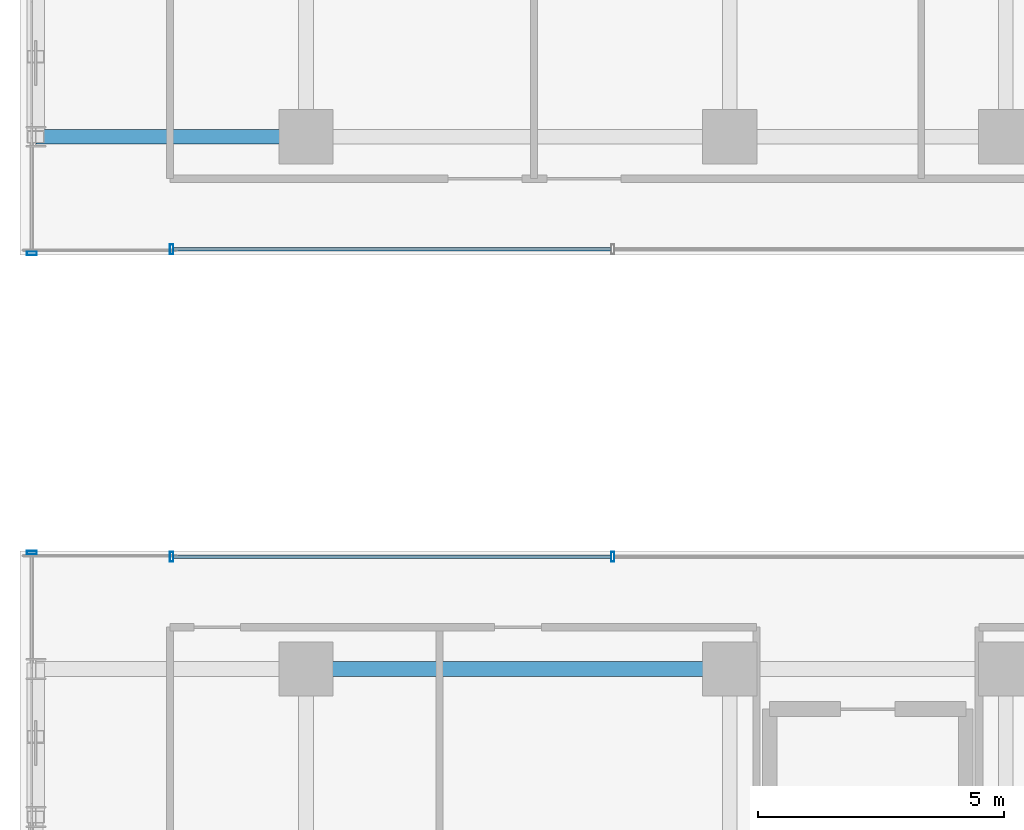
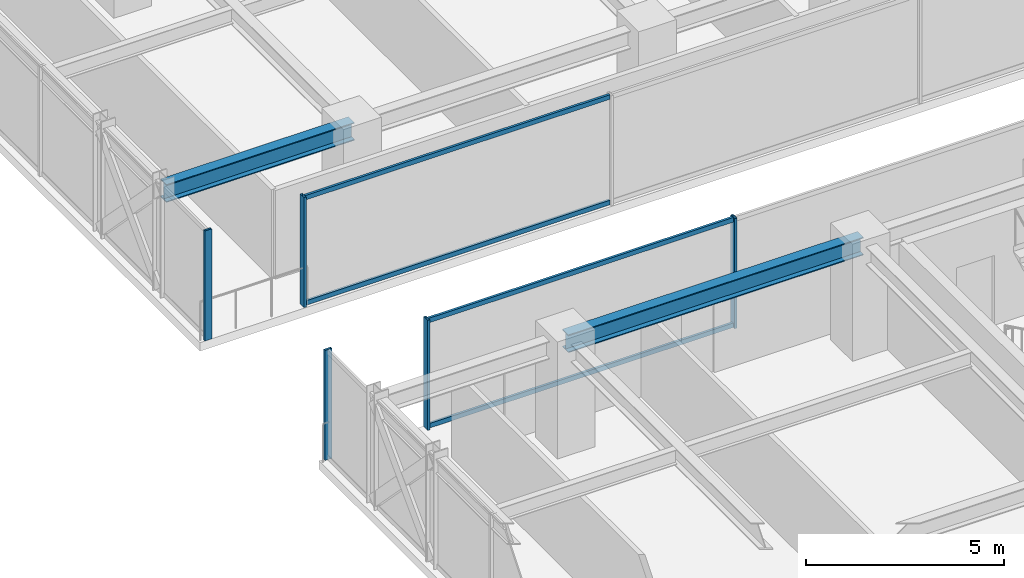
# One storey, part 8 of 41: 9 members, 2 beams, 4 elements without a shape of their own.
"""IFC4 building model written with IfcOpenShell, lengths in metres."""

from ifc_helpers import new_model, si_unit, direction, frame, origin, origin_2d, place, context, subcontext, project, spatial, hollow_rectangle, i_section, extrude, source, transform, mapped, material, material_profile, profile_set, type_object, element, aggregate, save


model = new_model("IFC4")

# Units and contexts
model_context = context("Model", 3, precision=1e-05, world=origin(), true_north=direction((0.0, 1.0)))
body_context = subcontext(model_context, "Body", "Model", "MODEL_VIEW")
ifc_project = project(units=[si_unit("LENGTHUNIT", "METRE"), si_unit("AREAUNIT", "SQUARE_METRE"), si_unit("VOLUMEUNIT", "CUBIC_METRE"), si_unit("PLANEANGLEUNIT", "RADIAN"), si_unit("MASSUNIT", "GRAM", prefix="KILO")], contexts=[model_context])

# Site, building, storey
site_placement = place(None, origin())
site = spatial("IfcSite", under=ifc_project, at=site_placement, CompositionType="ELEMENT")
building_placement = place(site_placement, origin())
building = spatial("IfcBuilding", under=site, at=building_placement, Name="Nahalor Promenade Grand Hotel", CompositionType="ELEMENT")
storey_placement = place(building_placement, frame((0.0, 0.0, 159.949951171875)))
storey = spatial("IfcBuildingStorey", under=building, at=storey_placement, Name="L40", CompositionType="ELEMENT", Elevation=159.949951171875)

# Beams
ifc_material_1 = material(Name="Steel S355JR", Category="steel")
ifc_material_profile_1 = material_profile(ifc_material_1, i_section(OverallWidth=0.3, OverallDepth=0.55, WebThickness=0.015, FlangeThickness=0.029, at=origin_2d()), Name="HEB 550")
ifc_profile_set_1 = profile_set([ifc_material_profile_1], Name="Steel S355JR")
beam_type = type_object("IfcBeamType", Name="Beam-Girder-HEB550", PredefinedType="BEAM", material=ifc_profile_set_1)
shared_shape_1 = source(origin(), body_context, "Body", "SweptSolid", [
    extrude(i_section(OverallWidth=0.3, OverallDepth=0.55, WebThickness=0.015, FlangeThickness=0.029, at=origin_2d()), origin(), (0.0, 0.0, 1.0), 8.60009765625),
])
beam_1_placement = place(storey_placement, frame((-17.0, -5.39990234375, 3.114990234375), z_axis=(1.0, 0.0, 0.0), x_axis=(0.0, 1.0, 0.0)))
element("IfcBeam", 1, at=beam_1_placement, inside=storey, type_object=beam_type, Name="BM-L40-GX-1-1", PredefinedType="BEAM", context=body_context, shape_type="MappedRepresentation", body=[
    mapped(shared_shape_1, transform((0.0, 0.0, 0.0), scale=1.0)),
])
shared_shape_2 = source(origin(), body_context, "Body", "SweptSolid", [
    extrude(i_section(OverallWidth=0.3, OverallDepth=0.55, WebThickness=0.015, FlangeThickness=0.029, at=origin_2d()), origin(), (0.0, 0.0, 1.0), 5.47998046875),
])
beam_2_placement = place(storey_placement, frame((-22.47998046875, 5.39990234375, 3.114990234375), z_axis=(1.0, 0.0, 0.0), x_axis=(0.0, 1.0, 0.0)))
element("IfcBeam", 2, at=beam_2_placement, inside=storey, type_object=beam_type, Name="BM-L40-GX-2-0", PredefinedType="BEAM", context=body_context, shape_type="MappedRepresentation", body=[
    mapped(shared_shape_2, transform((0.0, 0.0, 0.0), scale=1.0)),
])

# Curtain wall, member
ifc_material_2 = material(Name="Anodised Bronze Aluminium EN AW-6063 T6", Category="aluminium")
curtain_wall_type = type_object("IfcCurtainWallType", Name="CW3 Elliptical-Void Collar Unitised Curtain Wall", PredefinedType="USERDEFINED", material=ifc_material_2)
curtain_wall_1_placement = place(storey_placement, origin())
curtain_wall_1 = element("IfcCurtainWall", 3, at=curtain_wall_1_placement, inside=storey, type_object=curtain_wall_type, Name="L40 Curtain Wall CW-L40-W-1", ObjectType="UNITISED_CURTAIN_WALL", PredefinedType="USERDEFINED")
ifc_material_profile_2 = material_profile(ifc_material_2, hollow_rectangle(XDim=0.07, YDim=0.2, WallThickness=0.005, at=origin_2d()), Name="CWM 70x200x5")
ifc_profile_set_2 = profile_set([ifc_material_profile_2], Name="Anodised Bronze Aluminium EN AW-6063 T6")
member_type_1 = type_object("IfcMemberType", Name="CWM3 Void Collar Mullion 70x200", PredefinedType="MULLION", material=ifc_profile_set_2)
shared_shape_3 = source(origin(), body_context, "Body", "SweptSolid", [
    extrude(hollow_rectangle(XDim=0.07, YDim=0.2, WallThickness=0.005, at=origin_2d()), origin(), (0.0, 0.0, 1.0), 3.39013671875),
])
member_1_placement = place(storey_placement, frame((-22.56005859375, -3.033935546875, 0.0), z_axis=(0.0, 0.0, 1.0), x_axis=(0.0, 1.0, 0.0)))
member_1 = element("IfcMember", 4, at=member_1_placement, type_object=member_type_1, Name="CW-L40-W-1 Mullion 2", PredefinedType="MULLION", context=body_context, shape_type="MappedRepresentation", body=[
    mapped(shared_shape_3, transform((0.0, 0.0, 0.0), scale=1.0)),
])
aggregate(curtain_wall_1, [member_1])

curtain_wall_2_placement = place(storey_placement, origin())
curtain_wall_2 = element("IfcCurtainWall", 5, at=curtain_wall_2_placement, inside=storey, type_object=curtain_wall_type, Name="L40 Curtain Wall CW-L40-W-2", ObjectType="UNITISED_CURTAIN_WALL", PredefinedType="USERDEFINED")
member_2_placement = place(storey_placement, frame((-22.56005859375, 3.033935546875, 0.0), z_axis=(0.0, 0.0, 1.0), x_axis=(0.0, 1.0, 0.0)))
member_2 = element("IfcMember", 6, at=member_2_placement, type_object=member_type_1, Name="CW-L40-W-2 Mullion 0", PredefinedType="MULLION", context=body_context, shape_type="MappedRepresentation", body=[
    mapped(shared_shape_3, transform((0.0, 0.0, 0.0), scale=1.0)),
])
aggregate(curtain_wall_2, [member_2])

# Curtain wall, members
curtain_wall_3_placement = place(storey_placement, origin())
curtain_wall_3 = element("IfcCurtainWall", 7, at=curtain_wall_3_placement, inside=storey, type_object=curtain_wall_type, Name="L40 Curtain Wall CW-L40-VOID-WS1", ObjectType="UNITISED_CURTAIN_WALL", PredefinedType="USERDEFINED")
member_3_placement = place(storey_placement, frame((-19.72509765625, -3.118896484375, 0.0), z_axis=(0.0, 0.0, 1.0), x_axis=(1.0, 0.0, 0.0)))
member_3 = element("IfcMember", 8, at=member_3_placement, type_object=member_type_1, Name="CW-L40-VOID-WS1 Mullion 0", PredefinedType="MULLION", context=body_context, shape_type="MappedRepresentation", body=[
    mapped(shared_shape_3, transform((0.0, 0.0, 0.0), scale=1.0)),
])
member_4_placement = place(storey_placement, frame((-10.7734375, -3.118896484375, 0.0), z_axis=(0.0, 0.0, 1.0), x_axis=(1.0, 0.0, 0.0)))
member_4 = element("IfcMember", 9, at=member_4_placement, type_object=member_type_1, Name="CW-L40-VOID-WS1 Mullion 1", PredefinedType="MULLION", context=body_context, shape_type="MappedRepresentation", body=[
    mapped(shared_shape_3, transform((0.0, 0.0, 0.0), scale=1.0)),
])

# Curtain wall, member
curtain_wall_4_placement = place(storey_placement, origin())
curtain_wall_4 = element("IfcCurtainWall", 10, at=curtain_wall_4_placement, inside=storey, type_object=curtain_wall_type, Name="L40 Curtain Wall CW-L40-VOID-WN1", ObjectType="UNITISED_CURTAIN_WALL", PredefinedType="USERDEFINED")
member_5_placement = place(storey_placement, frame((-19.72509765625, 3.118896484375, 0.0), z_axis=(0.0, 0.0, 1.0), x_axis=(1.0, 0.0, 0.0)))
member_5 = element("IfcMember", 11, at=member_5_placement, type_object=member_type_1, Name="CW-L40-VOID-WN1 Mullion 0", PredefinedType="MULLION", context=body_context, shape_type="MappedRepresentation", body=[
    mapped(shared_shape_3, transform((0.0, 0.0, 0.0), scale=1.0)),
])

# Member
ifc_material_profile_3 = material_profile(ifc_material_2, hollow_rectangle(XDim=0.07, YDim=0.14, WallThickness=0.004, at=origin_2d()), Name="CWT 70x140x4")
ifc_profile_set_3 = profile_set([ifc_material_profile_3], Name="Anodised Bronze Aluminium EN AW-6063 T6")
member_type_2 = type_object("IfcMemberType", Name="CWT3 Void Collar Transom 70x140", PredefinedType="USERDEFINED", material=ifc_profile_set_3)
shared_shape_4 = source(origin(), body_context, "Body", "SweptSolid", [
    extrude(hollow_rectangle(XDim=0.07, YDim=0.14, WallThickness=0.004, at=origin_2d()), origin(), (0.0, 0.0, 1.0), 8.881591796875),
])
member_6_placement = place(storey_placement, frame((-19.68994140625, -3.118896484375, 0.070068359375), z_axis=(1.0, 0.0, 0.0), x_axis=(0.0, 1.0, 0.0)))
member_6 = element("IfcMember", 12, at=member_6_placement, type_object=member_type_2, Name="CW-L40-VOID-WS1 Transom 0-0", ObjectType="TRANSOM", PredefinedType="USERDEFINED", context=body_context, shape_type="MappedRepresentation", body=[
    mapped(shared_shape_4, transform((0.0, 0.0, 0.0), scale=1.0)),
])

member_7_placement = place(storey_placement, frame((-19.68994140625, -3.118896484375, 3.320068359375), z_axis=(1.0, 0.0, 0.0), x_axis=(0.0, 1.0, 0.0)))
member_7 = element("IfcMember", 13, at=member_7_placement, type_object=member_type_2, Name="CW-L40-VOID-WS1 Transom 0-1", ObjectType="TRANSOM", PredefinedType="USERDEFINED", context=body_context, shape_type="MappedRepresentation", body=[
    mapped(shared_shape_4, transform((0.0, 0.0, 0.0), scale=1.0)),
])

aggregate(curtain_wall_3, [member_3, member_4, member_6, member_7])

member_8_placement = place(storey_placement, frame((-19.68994140625, 3.118896484375, 0.070068359375), z_axis=(1.0, 0.0, 0.0), x_axis=(0.0, 1.0, 0.0)))
member_8 = element("IfcMember", 14, at=member_8_placement, type_object=member_type_2, Name="CW-L40-VOID-WN1 Transom 0-0", ObjectType="TRANSOM", PredefinedType="USERDEFINED", context=body_context, shape_type="MappedRepresentation", body=[
    mapped(shared_shape_4, transform((0.0, 0.0, 0.0), scale=1.0)),
])

member_9_placement = place(storey_placement, frame((-19.68994140625, 3.118896484375, 3.320068359375), z_axis=(1.0, 0.0, 0.0), x_axis=(0.0, 1.0, 0.0)))
member_9 = element("IfcMember", 15, at=member_9_placement, type_object=member_type_2, Name="CW-L40-VOID-WN1 Transom 0-1", ObjectType="TRANSOM", PredefinedType="USERDEFINED", context=body_context, shape_type="MappedRepresentation", body=[
    mapped(shared_shape_4, transform((0.0, 0.0, 0.0), scale=1.0)),
])

aggregate(curtain_wall_4, [member_5, member_8, member_9])

save(model, "model.ifc")
